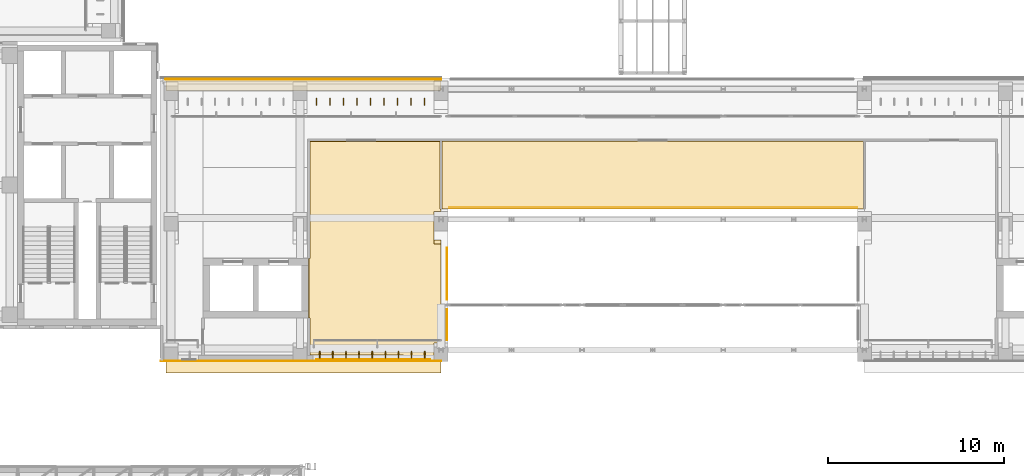
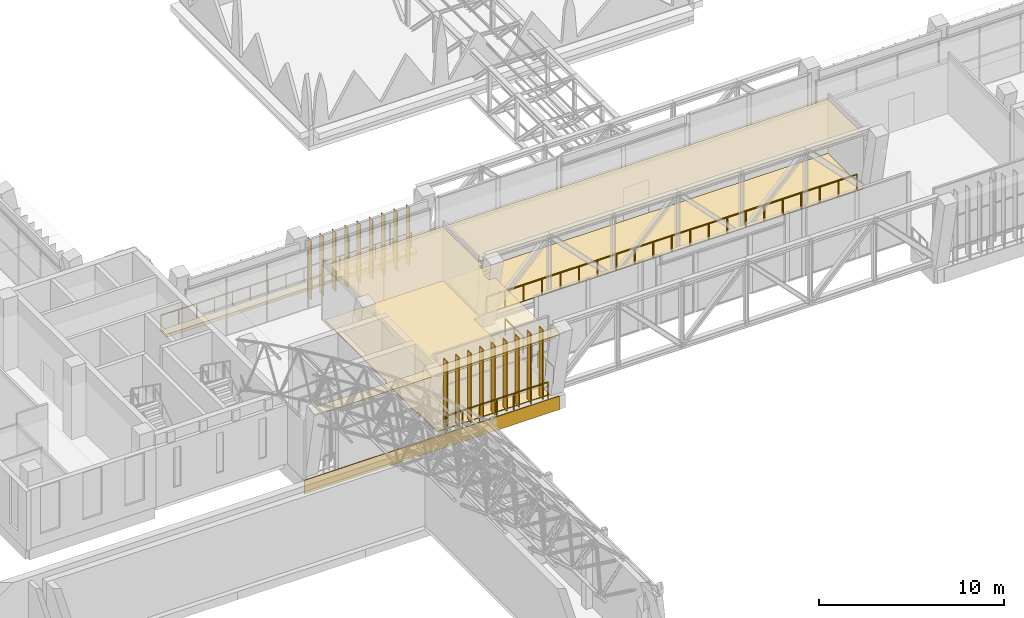
# One storey, part 122 of 141: 18 shading devices, 7 coverings, 5 railings.
"""IFC4 building model written with IfcOpenShell, lengths in metres."""

from ifc_helpers import new_model, si_unit, direction, frame, frame_2d, origin, origin_2d, place, context, subcontext, project, spatial, polyline, rectangle, circle, outline, extrude, material, layer, layer_set, type_object, element, save


model = new_model("IFC4")

# Units and contexts
model_context = context("Model", 3, precision=1e-05, world=origin(), true_north=direction((0.0, 1.0)))
body_context = subcontext(model_context, "Body", "Model", "MODEL_VIEW")
ifc_project = project(units=[si_unit("LENGTHUNIT", "METRE"), si_unit("AREAUNIT", "SQUARE_METRE"), si_unit("VOLUMEUNIT", "CUBIC_METRE"), si_unit("PLANEANGLEUNIT", "RADIAN"), si_unit("MASSUNIT", "GRAM", prefix="KILO")], contexts=[model_context])

# Site, building, storey
site_placement = place(None, origin())
site = spatial("IfcSite", under=ifc_project, at=site_placement, CompositionType="ELEMENT")
building_placement = place(site_placement, origin())
building = spatial("IfcBuilding", under=site, at=building_placement, Name="Lantern Court Media Centre", CompositionType="ELEMENT")
storey_placement = place(building_placement, frame((0.0, 0.0, 9.60009765625)))
storey = spatial("IfcBuildingStorey", under=building, at=storey_placement, Name="L02", CompositionType="ELEMENT", Elevation=9.60009765625)

# Coverings
ifc_material_1 = material(Name="Carpet")
ifc_layer_1 = layer(ifc_material_1, 0.050048828125)
ifc_layer_set_1 = layer_set([ifc_layer_1], Name="Carpet")
covering_type_1 = type_object("IfcCoveringType", Name="Carpet floor finish", PredefinedType="FLOORING", material=ifc_layer_set_1)
covering_1_placement = place(storey_placement, origin())
element("IfcCovering", 1, at=covering_1_placement, inside=storey, type_object=covering_type_1, Name="Media Library Reading Room 01 floor finish", PredefinedType="FLOORING", context=body_context, shape_type="SweptSolid", body=[
    extrude(outline(polyline([(40.0, 54.45068359375), (39.594970703125, 54.4462890625), (39.59521484375, 52.59912109375), (40.0, 52.594970703125), (40.0, 47.0048828125), (39.595703125, 47.00244140625), (39.594970703125, 46.300048828125), (32.5849609375, 46.304931640625), (32.5849609375, 48.39990234375), (32.5048828125, 48.405029296875), (32.5048828125, 51.794921875), (32.5673828125, 51.800048828125), (32.5673828125, 58.4326171875), (39.945068359375, 58.4326171875), (39.945068359375, 54.60009765625), (40.0, 54.594970703125), (40.0, 54.45068359375)])), origin(), (0.0, 0.0, 1.0), 0.0498046875),
])
covering_2_placement = place(storey_placement, origin())
element("IfcCovering", 2, at=covering_2_placement, inside=storey, type_object=covering_type_1, Name="Media Library Reading Room 02 floor finish", PredefinedType="FLOORING", context=body_context, shape_type="SweptSolid", body=[
    extrude(outline(polyline([(40.054931640625, 54.60009765625), (40.054931640625, 58.4326171875), (63.945068359375, 58.4326171875), (63.945068359375, 54.60009765625), (40.054931640625, 54.60009765625)])), origin(), (0.0, 0.0, 1.0), 0.0498046875),
])

# Railings
ifc_material_2 = material(Name="Powder-coated steel", Category="steel")
railing_type_1 = type_object("IfcRailingType", Name="Floor edge guard 1100", PredefinedType="GUARDRAIL", material=ifc_material_2)
railing_1_placement = place(storey_placement, frame((39.35595703125, 46.06005859375, 0.0)))
element("IfcRailing", 3, at=railing_1_placement, inside=storey, type_object=railing_type_1, Name="L02 edge guard 47", PredefinedType="GUARDRAIL", context=body_context, shape_type="SweptSolid", body=[
    extrude(circle(Radius=0.02392578125, at=origin_2d()), frame((0.0, 0.0, 1.076171875), z_axis=(-1.0, 0.0, 0.0), x_axis=(0.0, -1.0, 0.0)), (0.0, 0.0, 1.0), 6.39794921875),
    extrude(circle(Radius=0.02099609375, at=origin_2d()), origin(), (0.0, 0.0, 1.0), 1.052001953125),
    extrude(circle(Radius=0.02099609375, at=origin_2d()), frame((-1.06640625, 0.0, 0.0)), (0.0, 0.0, 1.0), 1.052001953125),
    extrude(circle(Radius=0.02099609375, at=origin_2d()), frame((-2.132568359375, 0.0, 0.0)), (0.0, 0.0, 1.0), 1.052001953125),
    extrude(circle(Radius=0.02099609375, at=origin_2d()), frame((-3.198974609375, 0.0, 0.0)), (0.0, 0.0, 1.0), 1.052001953125),
    extrude(circle(Radius=0.02099609375, at=origin_2d()), frame((-4.265380859375, 0.0, 0.0)), (0.0, 0.0, 1.0), 1.052001953125),
    extrude(circle(Radius=0.02099609375, at=origin_2d()), frame((-5.33154296875, 0.0, 0.0)), (0.0, 0.0, 1.0), 1.052001953125),
    extrude(circle(Radius=0.02099609375, at=origin_2d()), frame((-6.39794921875, 0.0, 0.0)), (0.0, 0.0, 1.0), 1.052001953125),
])
railing_2_placement = place(storey_placement, frame((40.340087890625, 48.875, 0.0)))
element("IfcRailing", 4, at=railing_2_placement, inside=storey, type_object=railing_type_1, Name="L02 edge guard 48", PredefinedType="GUARDRAIL", context=body_context, shape_type="SweptSolid", body=[
    extrude(circle(Radius=0.02392578125, at=origin_2d()), frame((0.0, 0.0, 1.076171875), z_axis=(0.0, -1.0, 0.0), x_axis=(1.0, 0.0, 0.0)), (0.0, 0.0, 1.0), 1.698974609375),
    extrude(circle(Radius=0.02099609375, at=origin_2d()), origin(), (0.0, 0.0, 1.0), 1.052001953125),
    extrude(circle(Radius=0.02099609375, at=origin_2d()), frame((0.0, -0.849609375, 0.0)), (0.0, 0.0, 1.0), 1.052001953125),
    extrude(circle(Radius=0.02099609375, at=origin_2d()), frame((0.0, -1.698974609375, 0.0)), (0.0, 0.0, 1.0), 1.052001953125),
])
railing_3_placement = place(storey_placement, frame((40.340087890625, 52.3740234375, 0.0)))
element("IfcRailing", 5, at=railing_3_placement, inside=storey, type_object=railing_type_1, Name="L02 edge guard 49", PredefinedType="GUARDRAIL", context=body_context, shape_type="SweptSolid", body=[
    extrude(circle(Radius=0.02392578125, at=origin_2d()), frame((0.0, 0.0, 1.076171875), z_axis=(0.0, -1.0, 0.0), x_axis=(1.0, 0.0, 0.0)), (0.0, 0.0, 1.0), 2.89892578125),
    extrude(circle(Radius=0.02099609375, at=origin_2d()), origin(), (0.0, 0.0, 1.0), 1.052001953125),
    extrude(circle(Radius=0.02099609375, at=origin_2d()), frame((0.0, -0.96630859375, 0.0)), (0.0, 0.0, 1.0), 1.052001953125),
    extrude(circle(Radius=0.02099609375, at=origin_2d()), frame((0.0, -1.9326171875, 0.0)), (0.0, 0.0, 1.0), 1.052001953125),
    extrude(circle(Radius=0.02099609375, at=origin_2d()), frame((0.0, -2.89892578125, 0.0)), (0.0, 0.0, 1.0), 1.052001953125),
])
railing_4_placement = place(storey_placement, frame((63.577880859375, 54.659912109375, 0.0)))
element("IfcRailing", 6, at=railing_4_placement, inside=storey, type_object=railing_type_1, Name="L02 edge guard 50", PredefinedType="GUARDRAIL", context=body_context, shape_type="SweptSolid", body=[
    extrude(circle(Radius=0.02392578125, at=origin_2d()), frame((0.0, 0.0, 1.076171875), z_axis=(-1.0, 0.0, 0.0), x_axis=(0.0, -1.0, 0.0)), (0.0, 0.0, 1.0), 23.093994140625),
    extrude(circle(Radius=0.02099609375, at=origin_2d()), origin(), (0.0, 0.0, 1.0), 1.052001953125),
    extrude(circle(Radius=0.02099609375, at=origin_2d()), frame((-1.15478515625, 0.0, 0.0)), (0.0, 0.0, 1.0), 1.052001953125),
    extrude(circle(Radius=0.02099609375, at=origin_2d()), frame((-2.309326171875, 0.0, 0.0)), (0.0, 0.0, 1.0), 1.052001953125),
    extrude(circle(Radius=0.02099609375, at=origin_2d()), frame((-3.464111328125, 0.0, 0.0)), (0.0, 0.0, 1.0), 1.052001953125),
    extrude(circle(Radius=0.02099609375, at=origin_2d()), frame((-4.618896484375, 0.0, 0.0)), (0.0, 0.0, 1.0), 1.052001953125),
    extrude(circle(Radius=0.02099609375, at=origin_2d()), frame((-5.7734375, 0.0, 0.0)), (0.0, 0.0, 1.0), 1.052001953125),
    extrude(circle(Radius=0.02099609375, at=origin_2d()), frame((-6.92822265625, 0.0, 0.0)), (0.0, 0.0, 1.0), 1.052001953125),
    extrude(circle(Radius=0.02099609375, at=origin_2d()), frame((-8.0830078125, 0.0, 0.0)), (0.0, 0.0, 1.0), 1.052001953125),
    extrude(circle(Radius=0.02099609375, at=origin_2d()), frame((-9.237548828125, 0.0, 0.0)), (0.0, 0.0, 1.0), 1.052001953125),
    extrude(circle(Radius=0.02099609375, at=origin_2d()), frame((-10.392333984375, 0.0, 0.0)), (0.0, 0.0, 1.0), 1.052001953125),
    extrude(circle(Radius=0.02099609375, at=origin_2d()), frame((-11.546875, 0.0, 0.0)), (0.0, 0.0, 1.0), 1.052001953125),
    extrude(circle(Radius=0.02099609375, at=origin_2d()), frame((-12.70166015625, 0.0, 0.0)), (0.0, 0.0, 1.0), 1.052001953125),
    extrude(circle(Radius=0.02099609375, at=origin_2d()), frame((-13.8564453125, 0.0, 0.0)), (0.0, 0.0, 1.0), 1.052001953125),
    extrude(circle(Radius=0.02099609375, at=origin_2d()), frame((-15.010986328125, 0.0, 0.0)), (0.0, 0.0, 1.0), 1.052001953125),
    extrude(circle(Radius=0.02099609375, at=origin_2d()), frame((-16.165771484375, 0.0, 0.0)), (0.0, 0.0, 1.0), 1.052001953125),
    extrude(circle(Radius=0.02099609375, at=origin_2d()), frame((-17.320556640625, 0.0, 0.0)), (0.0, 0.0, 1.0), 1.052001953125),
    extrude(circle(Radius=0.02099609375, at=origin_2d()), frame((-18.47509765625, 0.0, 0.0)), (0.0, 0.0, 1.0), 1.052001953125),
    extrude(circle(Radius=0.02099609375, at=origin_2d()), frame((-19.6298828125, 0.0, 0.0)), (0.0, 0.0, 1.0), 1.052001953125),
    extrude(circle(Radius=0.02099609375, at=origin_2d()), frame((-20.78466796875, 0.0, 0.0)), (0.0, 0.0, 1.0), 1.052001953125),
    extrude(circle(Radius=0.02099609375, at=origin_2d()), frame((-21.939208984375, 0.0, 0.0)), (0.0, 0.0, 1.0), 1.052001953125),
    extrude(circle(Radius=0.02099609375, at=origin_2d()), frame((-23.093994140625, 0.0, 0.0)), (0.0, 0.0, 1.0), 1.052001953125),
])

# Covering
ifc_material_3 = material(Name="White glass-fibre reinforced cement cladding", Category="concrete")
ifc_layer_2 = layer(ifc_material_3, 0.050048828125)
ifc_layer_set_2 = layer_set([ifc_layer_2], Name="White glass-fibre reinforced cement cladding")
covering_type_2 = type_object("IfcCoveringType", Name="Floor-edge band 50", PredefinedType="CLADDING", material=ifc_layer_set_2)
covering_3_placement = place(storey_placement, frame((24.10009765625, 45.97509765625, -0.900146484375), z_axis=(0.0, 0.0, 1.0), x_axis=(1.0, 0.0, 0.0)))
element("IfcCovering", 7, at=covering_3_placement, inside=storey, type_object=covering_type_2, Name="Floor-edge band S outer L02", PredefinedType="CLADDING", context=body_context, shape_type="SweptSolid", body=[
    extrude(rectangle(XDim=15.89990234375, YDim=0.050048828125, at=frame_2d((7.949951171875, 0.0))), origin(), (0.0, 0.0, 1.0), 0.900146484375),
])

# Railing
ifc_material_4 = material(Name="Painted mild steel balustrade", Category="steel")
railing_type_2 = type_object("IfcRailingType", Name="Guard 1100 steel balustrade", PredefinedType="GUARDRAIL", material=ifc_material_4)
railing_5_placement = place(storey_placement, frame((24.39990234375, 61.949951171875, 0.0)))
element("IfcRailing", 8, at=railing_5_placement, inside=storey, type_object=railing_type_2, Name="Ledge guard S L02", PredefinedType="GUARDRAIL", context=body_context, shape_type="SweptSolid", body=[
    extrude(circle(Radius=0.02392578125, at=origin_2d()), frame((0.0, 0.0, 1.076171875), z_axis=(1.0, 0.0, 0.0), x_axis=(0.0, 1.0, 0.0)), (0.0, 0.0, 1.0), 15.60009765625),
    extrude(circle(Radius=0.02099609375, at=origin_2d()), origin(), (0.0, 0.0, 1.0), 1.052001953125),
    extrude(circle(Radius=0.02099609375, at=origin_2d()), frame((1.1142578125, 0.0, 0.0)), (0.0, 0.0, 1.0), 1.052001953125),
    extrude(circle(Radius=0.02099609375, at=origin_2d()), frame((2.228515625, 0.0, 0.0)), (0.0, 0.0, 1.0), 1.052001953125),
    extrude(circle(Radius=0.02099609375, at=origin_2d()), frame((3.3427734375, 0.0, 0.0)), (0.0, 0.0, 1.0), 1.052001953125),
    extrude(circle(Radius=0.02099609375, at=origin_2d()), frame((4.457275390625, 0.0, 0.0)), (0.0, 0.0, 1.0), 1.052001953125),
    extrude(circle(Radius=0.02099609375, at=origin_2d()), frame((5.571533203125, 0.0, 0.0)), (0.0, 0.0, 1.0), 1.052001953125),
    extrude(circle(Radius=0.02099609375, at=origin_2d()), frame((6.685791015625, 0.0, 0.0)), (0.0, 0.0, 1.0), 1.052001953125),
    extrude(circle(Radius=0.02099609375, at=origin_2d()), frame((7.800048828125, 0.0, 0.0)), (0.0, 0.0, 1.0), 1.052001953125),
    extrude(circle(Radius=0.02099609375, at=origin_2d()), frame((8.914306640625, 0.0, 0.0)), (0.0, 0.0, 1.0), 1.052001953125),
    extrude(circle(Radius=0.02099609375, at=origin_2d()), frame((10.028564453125, 0.0, 0.0)), (0.0, 0.0, 1.0), 1.052001953125),
    extrude(circle(Radius=0.02099609375, at=origin_2d()), frame((11.142822265625, 0.0, 0.0)), (0.0, 0.0, 1.0), 1.052001953125),
    extrude(circle(Radius=0.02099609375, at=origin_2d()), frame((12.25732421875, 0.0, 0.0)), (0.0, 0.0, 1.0), 1.052001953125),
    extrude(circle(Radius=0.02099609375, at=origin_2d()), frame((13.37158203125, 0.0, 0.0)), (0.0, 0.0, 1.0), 1.052001953125),
    extrude(circle(Radius=0.02099609375, at=origin_2d()), frame((14.48583984375, 0.0, 0.0)), (0.0, 0.0, 1.0), 1.052001953125),
    extrude(circle(Radius=0.02099609375, at=origin_2d()), frame((15.60009765625, 0.0, 0.0)), (0.0, 0.0, 1.0), 1.052001953125),
])

# Coverings
ifc_material_5 = material(Name="Planting substrate")
ifc_layer_3 = layer(ifc_material_5, 0.199951171875)
ifc_layer_set_3 = layer_set([ifc_layer_3], Name="Planting substrate")
covering_type_3 = type_object("IfcCoveringType", Name="Planted ledge build-up 200", PredefinedType="ROOFING", material=ifc_layer_set_3)
covering_4_placement = place(storey_placement, origin())
element("IfcCovering", 9, at=covering_4_placement, inside=storey, type_object=covering_type_3, Name="Planted ledge S L02", PredefinedType="ROOFING", context=body_context, shape_type="SweptSolid", body=[
    extrude(outline(polyline([(24.39990234375, 61.85009765625), (40.0, 61.85009765625), (40.0, 61.320068359375), (24.39990234375, 61.320068359375), (24.39990234375, 61.85009765625)])), origin(), (0.0, 0.0, 1.0), 0.199951171875),
])
ifc_material_6 = material(Name="White fibre cement soffit board")
ifc_layer_4 = layer(ifc_material_6, 0.0400390625)
ifc_layer_set_4 = layer_set([ifc_layer_4], Name="White fibre cement soffit board")
covering_type_4 = type_object("IfcCoveringType", Name="Soffit lining 40", PredefinedType="CLADDING", material=ifc_layer_set_4)
covering_5_placement = place(storey_placement, frame((24.39990234375, 45.64990234375, 4.539794921875), z_axis=(0.0, 0.0, 1.0), x_axis=(1.0, 0.0, 0.0)))
element("IfcCovering", 10, at=covering_5_placement, inside=storey, type_object=covering_type_4, Name="Soffit lining S L02", PredefinedType="CLADDING", context=body_context, shape_type="SweptSolid", body=[
    extrude(rectangle(XDim=15.60009765625, YDim=0.699951171875, at=frame_2d((7.800048828125, 0.0))), origin(), (0.0, 0.0, 1.0), 0.0400390625),
])
ifc_material_7 = material(Name="Mineral fibre ceiling tile")
ifc_layer_5 = layer(ifc_material_7, 0.02001953125)
ifc_layer_set_5 = layer_set([ifc_layer_5], Name="Mineral fibre ceiling tile")
covering_type_5 = type_object("IfcCoveringType", Name="Suspended ceiling tile", PredefinedType="CEILING", material=ifc_layer_set_5)
covering_6_placement = place(storey_placement, frame((0.0, 0.0, 3.599853515625)))
element("IfcCovering", 11, at=covering_6_placement, inside=storey, type_object=covering_type_5, Name="Media Library Reading Room 01 ceiling", PredefinedType="CEILING", context=body_context, shape_type="SweptSolid", body=[
    extrude(outline(polyline([(40.0, 54.199951171875), (39.800048828125, 54.199951171875), (39.800048828125, 53.800048828125), (40.0, 53.800048828125), (40.0, 53.6484375), (39.599609375, 53.64794921875), (40.0, 53.645263671875), (40.0, 53.400390625), (39.599609375, 53.39990234375), (39.599609375, 52.84765625), (40.0, 52.847412109375), (40.0, 46.800048828125), (39.800048828125, 46.800048828125), (39.800048828125, 46.39990234375), (40.0, 46.39990234375), (40.0, 46.300048828125), (32.58056640625, 46.300537109375), (32.58056640625, 48.39990234375), (32.50048828125, 48.400390625), (32.50048828125, 51.799560546875), (32.56298828125, 51.800048828125), (32.56298828125, 58.43701171875), (39.949462890625, 58.43701171875), (39.949462890625, 54.60009765625), (40.0, 54.599609375), (40.0, 54.199951171875)])), origin(), (0.0, 0.0, 1.0), 0.02001953125),
])
covering_7_placement = place(storey_placement, frame((0.0, 0.0, 3.599853515625)))
element("IfcCovering", 12, at=covering_7_placement, inside=storey, type_object=covering_type_5, Name="Media Library Reading Room 02 ceiling", PredefinedType="CEILING", context=body_context, shape_type="SweptSolid", body=[
    extrude(outline(polyline([(40.050537109375, 54.60009765625), (40.050537109375, 58.43701171875), (63.949462890625, 58.43701171875), (63.949462890625, 54.60009765625), (40.050537109375, 54.60009765625)])), origin(), (0.0, 0.0, 1.0), 0.02001953125),
])

# Shading devices
ifc_material_8 = material(Name="Bronze anodised aluminium louvre", Category="aluminium")
ifc_layer_6 = layer(ifc_material_8, 0.0400390625)
ifc_layer_set_6 = layer_set([ifc_layer_6], Name="Bronze anodised aluminium louvre")
shading_device_type_1 = type_object("IfcShadingDeviceType", Name="Vertical louvre 40x400 full storey", PredefinedType="USERDEFINED", material=ifc_layer_set_6)
for number, where, z_axis, x_axis, name in (
    (13, (33.122314453125, 46.320068359375, -0.000244140625), (0.0, 0.0, 1.0), (1.0, 0.0, 0.0), "Vertical louvre S outer L02"),
    (14, (33.86669921875, 46.320068359375, -0.000244140625), (0.0, 0.0, 1.0), (1.0, 0.0, 0.0), "Vertical louvre S outer L02"),
    (15, (34.611083984375, 46.320068359375, -0.000244140625), (0.0, 0.0, 1.0), (1.0, 0.0, 0.0), "Vertical louvre S outer L02"),
    (16, (35.35546875, 46.320068359375, -0.000244140625), (0.0, 0.0, 1.0), (1.0, 0.0, 0.0), "Vertical louvre S outer L02"),
    (17, (36.10009765625, 46.320068359375, -0.000244140625), (0.0, 0.0, 1.0), (1.0, 0.0, 0.0), "Vertical louvre S outer L02"),
    (18, (36.844482421875, 46.320068359375, -0.000244140625), (0.0, 0.0, 1.0), (1.0, 0.0, 0.0), "Vertical louvre S outer L02"),
    (19, (37.5888671875, 46.320068359375, -0.000244140625), (0.0, 0.0, 1.0), (1.0, 0.0, 0.0), "Vertical louvre S outer L02"),
    (20, (38.333251953125, 46.320068359375, -0.000244140625), (0.0, 0.0, 1.0), (1.0, 0.0, 0.0), "Vertical louvre S outer L02"),
    (21, (39.077880859375, 46.320068359375, -0.000244140625), (0.0, 0.0, 1.0), (1.0, 0.0, 0.0), "Vertical louvre S outer L02"),
):
    element("IfcShadingDevice", number, at=place(storey_placement, frame(where, z_axis=z_axis, x_axis=x_axis)), inside=storey, type_object=shading_device_type_1, Name=name, ObjectType="VERTICAL LOUVRE", PredefinedType="USERDEFINED", context=body_context, shape_type="SweptSolid", body=[
        extrude(rectangle(XDim=0.0400390625, YDim=0.39990234375, at=origin_2d()), origin(), (0.0, 0.0, 1.0), 4.580078125),
    ])
ifc_layer_7 = layer(ifc_material_8, 0.0400390625)
ifc_layer_set_7 = layer_set([ifc_layer_7], Name="Bronze anodised aluminium louvre")
shading_device_type_2 = type_object("IfcShadingDeviceType", Name="Vertical louvre 40x400 under beam", PredefinedType="USERDEFINED", material=ifc_layer_set_7)
for number, where, z_axis, x_axis, name in (
    (22, (32.933349609375, 60.679931640625, 0.0), (0.0, 0.0, 1.0), (1.0, 0.0, 0.0), "Vertical louvre S inner L02"),
    (23, (33.699951171875, 60.679931640625, 0.0), (0.0, 0.0, 1.0), (1.0, 0.0, 0.0), "Vertical louvre S inner L02"),
    (24, (34.466552734375, 60.679931640625, 0.0), (0.0, 0.0, 1.0), (1.0, 0.0, 0.0), "Vertical louvre S inner L02"),
    (25, (35.2333984375, 60.679931640625, 0.0), (0.0, 0.0, 1.0), (1.0, 0.0, 0.0), "Vertical louvre S inner L02"),
    (26, (36.0, 60.679931640625, 0.0), (0.0, 0.0, 1.0), (1.0, 0.0, 0.0), "Vertical louvre S inner L02"),
    (27, (36.7666015625, 60.679931640625, 0.0), (0.0, 0.0, 1.0), (1.0, 0.0, 0.0), "Vertical louvre S inner L02"),
    (28, (37.533447265625, 60.679931640625, 0.0), (0.0, 0.0, 1.0), (1.0, 0.0, 0.0), "Vertical louvre S inner L02"),
    (29, (38.300048828125, 60.679931640625, 0.0), (0.0, 0.0, 1.0), (1.0, 0.0, 0.0), "Vertical louvre S inner L02"),
    (30, (39.066650390625, 60.679931640625, 0.0), (0.0, 0.0, 1.0), (1.0, 0.0, 0.0), "Vertical louvre S inner L02"),
):
    element("IfcShadingDevice", number, at=place(storey_placement, frame(where, z_axis=z_axis, x_axis=x_axis)), inside=storey, type_object=shading_device_type_2, Name=name, ObjectType="VERTICAL LOUVRE", PredefinedType="USERDEFINED", context=body_context, shape_type="SweptSolid", body=[
        extrude(rectangle(XDim=0.0400390625, YDim=0.39990234375, at=origin_2d()), origin(), (0.0, 0.0, 1.0), 3.89990234375),
    ])

save(model, "model.ifc")
